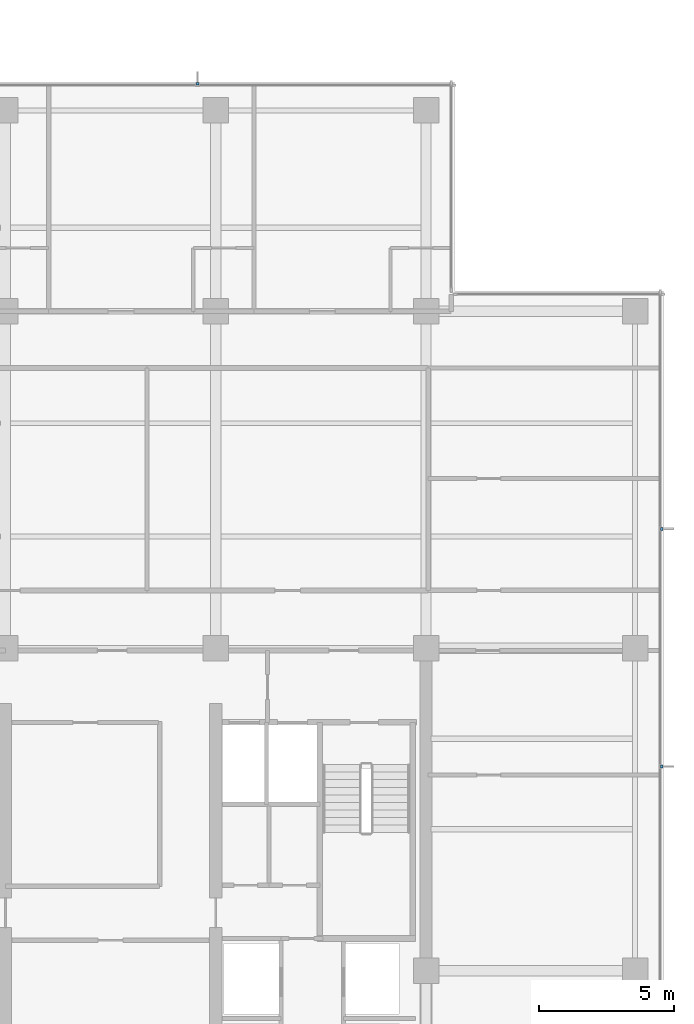
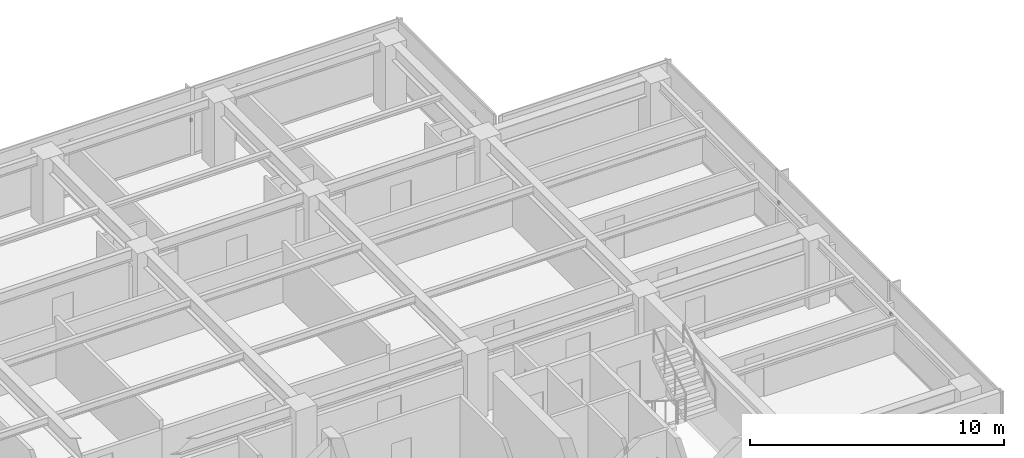
# One storey, part 12 of 14: 3 discrete accessories.
"""IFC4 building model written with IfcOpenShell, lengths in metres."""

import ifcopenshell
import ifcopenshell.guid

model = None  # the IFC model being written
_history = None  # IfcOwnerHistory: only IFC2X3 demands one
_inside = {}  # id of a spatial element -> (the spatial element, [elements in it])
_under = {}  # id of a project, library or spatial element -> (it, [spatial elements below it])
_declared = {}  # id of a project -> (the project, [libraries it declares])
_typed = {}  # id of a type object -> (the type object, [elements of that type])
_made_of = {}  # id of a material, layer set ... -> (it, [elements and type objects made of it])


def new_model(schema):
    """Start an empty IFC model of exactly this schema.

    Asked for "IFC4X3", IfcOpenShell would pick the latest addendum, in which some entities
    have other attributes; the version numbers below select the first issue.
    IFC2X3 requires an IfcOwnerHistory on every rooted entity: one is made here for all.
    """
    global model, _history
    if schema == "IFC4X3":
        model = ifcopenshell.file(schema_version=(4, 3, 0, 0))
    else:
        model = ifcopenshell.file(schema=schema)
    _inside.clear()
    _under.clear()
    _declared.clear()
    _typed.clear()
    _made_of.clear()
    _history = None
    if model.schema == "IFC2X3":
        org = make("IfcOrganization", Name="unknown")
        user = make(
            "IfcPersonAndOrganization",
            ThePerson=make("IfcPerson", FamilyName="unknown"),
            TheOrganization=org,
        )
        app = make(
            "IfcApplication",
            ApplicationDeveloper=org,
            Version="unknown",
            ApplicationFullName="unknown",
            ApplicationIdentifier="unknown",
        )
        _history = make(
            "IfcOwnerHistory",
            OwningUser=user,
            OwningApplication=app,
            ChangeAction="ADDED",
            CreationDate=0,
        )
    return model


def make(cls, **values):
    """One entity of the class cls with the attributes given. An attribute that is None is left unset."""
    return model.create_entity(
        cls, **{name: value for name, value in values.items() if value is not None}
    )


def rooted(cls, **values):
    """An entity with a GlobalId (a new one), such as an element, a storey or a relation."""
    return make(cls, GlobalId=ifcopenshell.guid.new(), OwnerHistory=_history, **values)


def si_unit(unit_type, name, prefix=None):
    """IfcSIUnit, for example si_unit("LENGTHUNIT", "METRE", prefix="MILLI")."""
    return make("IfcSIUnit", UnitType=unit_type, Prefix=prefix, Name=name)


def assignment(units):
    """IfcUnitAssignment: the units of a project."""
    return None if units is None else make("IfcUnitAssignment", Units=units)


def point(xyz):
    """IfcCartesianPoint."""
    return None if xyz is None else make("IfcCartesianPoint", Coordinates=xyz)


def direction(xyz):
    """IfcDirection."""
    return None if xyz is None else make("IfcDirection", DirectionRatios=xyz)


def frame(location, z_axis=None, x_axis=None):
    """IfcAxis2Placement3D, a coordinate frame: its origin and axes. An axis left out is left unset."""
    return make(
        "IfcAxis2Placement3D",
        Location=point(location),
        Axis=direction(z_axis),
        RefDirection=direction(x_axis),
    )


def origin():
    """The frame at (0, 0, 0) with its axes left unset."""
    return frame((0.0, 0.0, 0.0))


def place(relative_to, where):
    """IfcLocalPlacement: puts the frame where relative to a parent placement (None: the world)."""
    return make(
        "IfcLocalPlacement", PlacementRelTo=relative_to, RelativePlacement=where
    )


def context(
    kind, dimensions, precision=None, world=None, true_north=None, identifier=None
):
    """IfcGeometricRepresentationContext, for example the 3D "Model" context."""
    return make(
        "IfcGeometricRepresentationContext",
        ContextIdentifier=identifier,
        ContextType=kind,
        CoordinateSpaceDimension=dimensions,
        Precision=precision,
        WorldCoordinateSystem=world,
        TrueNorth=true_north,
    )


def subcontext(parent, identifier, kind, view, scale=None):
    """IfcGeometricRepresentationSubContext, for example "Body" below "Model"."""
    return make(
        "IfcGeometricRepresentationSubContext",
        ContextIdentifier=identifier,
        ContextType=kind,
        ParentContext=parent,
        TargetScale=scale,
        TargetView=view,
    )


def project(units=None, contexts=None):
    """IfcProject with its units and contexts."""
    return rooted(
        "IfcProject",
        Name="project",
        RepresentationContexts=contexts,
        UnitsInContext=assignment(units),
    )


def spatial(cls, under=None, at=None, **own):
    """A site, building, storey or space (cls), placed at a placement, below another one or the project."""
    s = rooted(cls, ObjectPlacement=at, **own)
    if under is not None:
        _under.setdefault(under.id(), (under, []))[1].append(s)
    return s


def polyline(points):
    """IfcPolyline through the points."""
    return make("IfcPolyline", Points=[point(p) for p in points])


def outline(outer, holes=None, kind="AREA"):
    """IfcArbitraryClosedProfileDef: a profile drawn as a closed curve; with holes, ...WithVoids."""
    if holes is None:
        return make("IfcArbitraryClosedProfileDef", ProfileType=kind, OuterCurve=outer)
    return make(
        "IfcArbitraryProfileDefWithVoids",
        ProfileType=kind,
        OuterCurve=outer,
        InnerCurves=holes,
    )


def extrude(swept, where, along, depth):
    """IfcExtrudedAreaSolid: the profile swept, set in the frame where, extruded along a direction by depth."""
    return make(
        "IfcExtrudedAreaSolid",
        SweptArea=swept,
        Position=where,
        ExtrudedDirection=direction(along),
        Depth=depth,
    )


def shape(context_of_items, identifier, shape_type, items):
    """IfcShapeRepresentation: the items that make up one representation, for example the "Body"."""
    return make(
        "IfcShapeRepresentation",
        ContextOfItems=context_of_items,
        RepresentationIdentifier=identifier,
        RepresentationType=shape_type,
        Items=items,
    )


def material(Name=None, Category=None):
    """IfcMaterial."""
    return make("IfcMaterial", Name=Name, Category=Category)


def made_of(thing, what):
    """Note that an element or type object is made of a material, layer set ...; save() writes the relation."""
    if what is not None:
        _made_of.setdefault(what.id(), (what, []))[1].append(thing)
    return thing


def type_object(cls, material=None, **own):
    """A type object (cls), such as IfcWallType, which elements share."""
    return made_of(rooted(cls, **own), material)


def element(
    cls,
    number,
    at=None,
    inside=None,
    cuts=None,
    type_object=None,
    material=None,
    context=None,
    identifier="Body",
    shape_type=None,
    held_by="IfcProductDefinitionShape",
    body=None,
    shapes=None,
    **own,
):
    """One element of the class cls, such as IfcWall. Its Tag is "e" and its number.

    at: its placement. inside: the storey or other place that contains it. cuts: it is an
    opening in that element (IfcRelVoidsElement). A single representation is given by context,
    identifier, shape_type and body (its items); several are given by shapes. held_by: the class
    of the entity that holds the representations. save() writes the other relations.
    """
    e = rooted(cls, Tag="e%d" % number, ObjectPlacement=at, **own)
    if body is not None:
        shapes = [shape(context, identifier, shape_type, body)]
    if shapes is not None:
        e.Representation = make(held_by, Representations=shapes)
    if inside is not None:
        _inside.setdefault(inside.id(), (inside, []))[1].append(e)
    if cuts is not None:
        rooted(
            "IfcRelVoidsElement", RelatingBuildingElement=cuts, RelatedOpeningElement=e
        )
    if type_object is not None:
        _typed.setdefault(type_object.id(), (type_object, []))[1].append(e)
    return made_of(e, material)


def aggregate(whole, parts):
    """IfcRelAggregates: a whole, such as a stair, and the parts it consists of."""
    return rooted("IfcRelAggregates", RelatingObject=whole, RelatedObjects=parts)


def save(model, path):
    """Write the relations noted so far, then the file.

    IfcRelAggregates (storeys below a building ...), IfcRelContainedInSpatialStructure (elements
    in a storey), IfcRelDefinesByType, IfcRelAssociatesMaterial and IfcRelDeclares: one each for
    every whole, place, type object, material and project.
    """
    for whole, parts in _under.values():
        aggregate(whole, parts)
    for where, things in _inside.values():
        rooted(
            "IfcRelContainedInSpatialStructure",
            RelatedElements=things,
            RelatingStructure=where,
        )
    for kind, things in _typed.values():
        rooted("IfcRelDefinesByType", RelatedObjects=things, RelatingType=kind)
    for what, things in _made_of.values():
        rooted("IfcRelAssociatesMaterial", RelatedObjects=things, RelatingMaterial=what)
    for by, libraries in _declared.values():
        rooted("IfcRelDeclares", RelatingContext=by, RelatedDefinitions=libraries)
    model.write(path)


model = new_model("IFC4")

# Units and contexts
model_context = context("Model", 3, precision=1e-05, world=origin(), true_north=direction((0.0, 1.0)))
body_context = subcontext(model_context, "Body", "Model", "MODEL_VIEW")
ifc_project = project(units=[si_unit("LENGTHUNIT", "METRE"), si_unit("AREAUNIT", "SQUARE_METRE"), si_unit("VOLUMEUNIT", "CUBIC_METRE"), si_unit("PLANEANGLEUNIT", "RADIAN"), si_unit("MASSUNIT", "GRAM", prefix="KILO")], contexts=[model_context])

# Site, building, storey
site_placement = place(None, origin())
site = spatial("IfcSite", under=ifc_project, at=site_placement, CompositionType="ELEMENT")
building_placement = place(site_placement, origin())
building = spatial("IfcBuilding", under=site, at=building_placement, Name="Qalmaran Belvedere Hotel", CompositionType="ELEMENT")
storey_placement = place(building_placement, frame((0.0, 0.0, 207.39990234375)))
storey = spatial("IfcBuildingStorey", under=building, at=storey_placement, Name="L52", CompositionType="ELEMENT", Elevation=207.39990234375)

# Discrete accessories
ifc_material = material(Name="Stainless Steel 1.4401", Category="steel")
discrete_accessory_type = type_object("IfcDiscreteAccessoryType", Name="BRK-FIN-SS316", PredefinedType="BRACKET", material=ifc_material)
discrete_accessory_1_placement = place(storey_placement, frame((0.0, 0.0, 1.580078125)))
element("IfcDiscreteAccessory", 1, at=discrete_accessory_1_placement, inside=storey, type_object=discrete_accessory_type, Name="L52 Fin Bracket 1", PredefinedType="BRACKET", context=body_context, shape_type="SweptSolid", body=[
    extrude(outline(polyline([(53.4951171875, 16.061767578125), (53.58740234375, 16.061767578125), (53.58740234375, 16.171630859375), (53.4951171875, 16.171630859375), (53.4951171875, 16.061767578125)])), origin(), (0.0, 0.0, 1.0), 0.14013671875),
])
discrete_accessory_2_placement = place(storey_placement, frame((0.0, 0.0, 1.580078125)))
element("IfcDiscreteAccessory", 2, at=discrete_accessory_2_placement, inside=storey, type_object=discrete_accessory_type, Name="L52 Fin Bracket 2", PredefinedType="BRACKET", context=body_context, shape_type="SweptSolid", body=[
    extrude(outline(polyline([(53.4951171875, 24.87841796875), (53.58740234375, 24.87841796875), (53.58740234375, 24.98828125), (53.4951171875, 24.98828125), (53.4951171875, 24.87841796875)])), origin(), (0.0, 0.0, 1.0), 0.14013671875),
])
discrete_accessory_3_placement = place(storey_placement, frame((0.0, 0.0, 1.580078125)))
element("IfcDiscreteAccessory", 3, at=discrete_accessory_3_placement, inside=storey, type_object=discrete_accessory_type, Name="L52 Fin Bracket 1", PredefinedType="BRACKET", context=body_context, shape_type="SweptSolid", body=[
    extrude(outline(polyline([(36.3798828125, 41.39501953125), (36.3798828125, 41.487548828125), (36.27001953125, 41.487548828125), (36.27001953125, 41.39501953125), (36.3798828125, 41.39501953125)])), origin(), (0.0, 0.0, 1.0), 0.14013671875),
])

save(model, "model.ifc")
